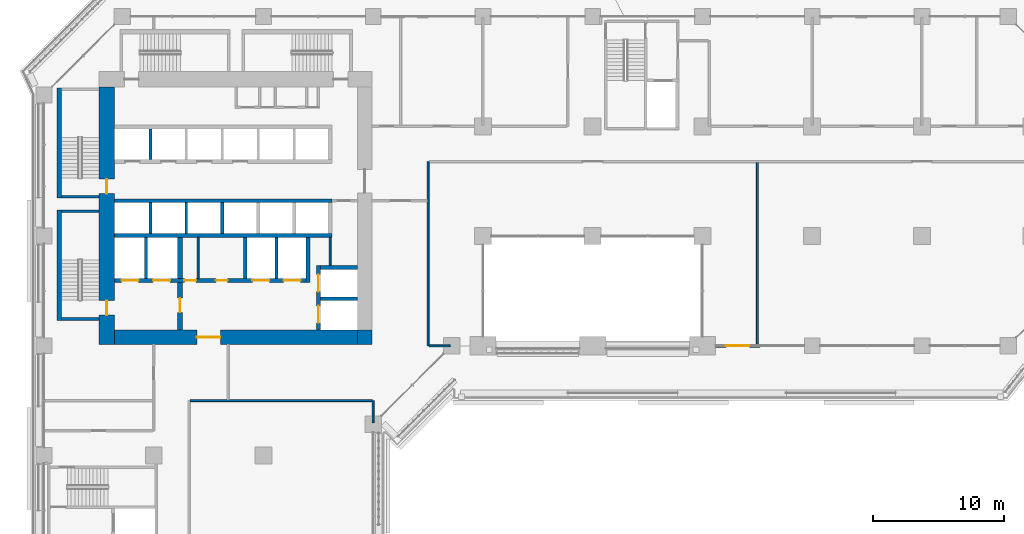
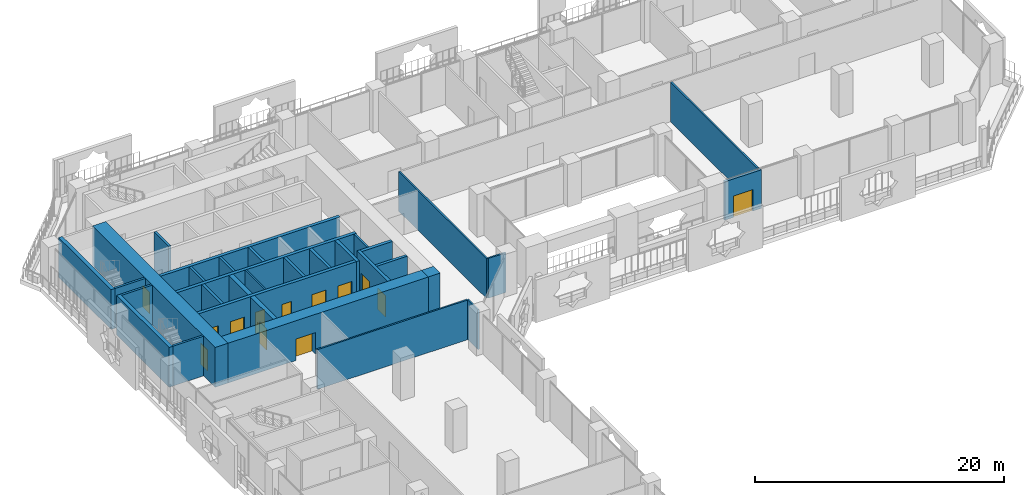
# One storey, part 14 of 27: 32 walls, 13 doors, 13 openings.
"""IFC4 building model written with IfcOpenShell, lengths in metres."""

from ifc_helpers import new_model, si_unit, direction, frame, frame_2d, origin, place, context, subcontext, project, spatial, rectangle, extrude, material, layer, layer_set, type_object, element, fill, save


model = new_model("IFC4")

# Units and contexts
model_context = context("Model", 3, precision=1e-05, world=origin(), true_north=direction((0.0, 1.0)))
body_context = subcontext(model_context, "Body", "Model", "MODEL_VIEW")
ifc_project = project(units=[si_unit("LENGTHUNIT", "METRE"), si_unit("AREAUNIT", "SQUARE_METRE"), si_unit("VOLUMEUNIT", "CUBIC_METRE"), si_unit("PLANEANGLEUNIT", "RADIAN"), si_unit("MASSUNIT", "GRAM", prefix="KILO")], contexts=[model_context])

# Site, building, storey
site_placement = place(None, origin())
site = spatial("IfcSite", under=ifc_project, at=site_placement, CompositionType="ELEMENT")
building_placement = place(site_placement, origin())
building = spatial("IfcBuilding", under=site, at=building_placement, Name="Kawkab Arch Medical Tower", CompositionType="ELEMENT")
storey_placement = place(building_placement, frame((0.0, 0.0, 43.39990234375)))
storey = spatial("IfcBuildingStorey", under=building, at=storey_placement, Name="L09", CompositionType="ELEMENT", Elevation=43.39990234375)

# Wall, opening, door
ifc_material_1 = material(Name="Concrete C60/75", Category="concrete")
ifc_layer_1 = layer(ifc_material_1, 1.10009765625)
ifc_layer_set_1 = layer_set([ifc_layer_1], Name="Concrete C60/75")
wall_type_1 = type_object("IfcWallType", Name="Core ring wall 1100 C60/75", PredefinedType="SHEAR", material=ifc_layer_set_1)
wall_1_placement = place(storey_placement, frame((5.39990234375, -24.550048828125, 0.0), z_axis=(0.0, 0.0, 1.0), x_axis=(1.0, 0.0, 0.0)))
wall_1 = element("IfcWall", 1, at=wall_1_placement, inside=storey, type_object=wall_type_1, Name="L09 core wall", PredefinedType="SHEAR", context=body_context, shape_type="SweptSolid", body=[
    extrude(rectangle(XDim=18.60009765625, YDim=1.10009765625, at=frame_2d((9.300048828125, 0.0))), origin(), (0.0, 0.0, 1.0), 3.900146484375),
])
opening_1_placement = place(wall_1_placement, frame((6.300048828125, 0.0, 0.0)))
opening_1 = element("IfcOpeningElement", 2, at=opening_1_placement, cuts=wall_1, Name="Opening PD", PredefinedType="OPENING", context=body_context, shape_type="SweptSolid", body=[
    extrude(rectangle(XDim=1.800048828125, YDim=2.10009765625, at=frame_2d((0.89990234375, 1.050048828125))), frame((0.0, 0.56005859375, 0.0), z_axis=(0.0, -1.0, 0.0), x_axis=(1.0, 0.0, 0.0)), (0.0, 0.0, 1.0), 1.1201171875),
])
ifc_material_2 = material(Name="Hollow metal fire door leaf")
door_type_1 = type_object("IfcDoorType", Name="Core entrance doors 1800", OperationType="DOUBLE_DOOR_SINGLE_SWING", PredefinedType="DOOR", material=ifc_material_2)
door_1_placement = place(opening_1_placement, origin())
door_1 = element("IfcDoor", 3, at=door_1_placement, inside=storey, type_object=door_type_1, Name="L09 South entrance doors", OperationType="DOUBLE_DOOR_SINGLE_SWING", OverallHeight=2.10009765625, OverallWidth=1.800048828125, PredefinedType="DOOR", context=body_context, shape_type="SweptSolid", body=[
    extrude(rectangle(XDim=1.800048828125, YDim=2.10009765625, at=frame_2d((0.89990234375, 1.050048828125))), frame((0.0, 0.02490234375, 0.0), z_axis=(0.0, -1.0, 0.0), x_axis=(1.0, 0.0, 0.0)), (0.0, 0.0, 1.0), 0.050048828125),
])
fill(opening_1, door_1)

# Wall
wall_2_placement = place(storey_placement, frame((24.550048828125, -25.10009765625, 0.0), z_axis=(0.0, 0.0, 1.0), x_axis=(0.0, 1.0, 0.0)))
element("IfcWall", 4, at=wall_2_placement, inside=storey, type_object=wall_type_1, Name="L09 core wall", PredefinedType="SHEAR", context=body_context, shape_type="SweptSolid", body=[
    extrude(rectangle(XDim=1.10009765625, YDim=1.10009765625, at=frame_2d((0.550048828125, 0.0))), origin(), (0.0, 0.0, 1.0), 3.900146484375),
])

# Wall, openings, doors
ifc_material_3 = material(Name="Concrete C60/75", Category="concrete")
ifc_layer_2 = layer(ifc_material_3, 1.199951171875)
ifc_layer_set_2 = layer_set([ifc_layer_2], Name="Concrete C60/75")
wall_type_2 = type_object("IfcWallType", Name="Core ring wall 1200 C60/75", PredefinedType="SHEAR", material=ifc_layer_set_2)
wall_3_placement = place(storey_placement, frame((4.800048828125, -25.10009765625, 0.0), z_axis=(0.0, 0.0, 1.0), x_axis=(0.0, 1.0, 0.0)))
wall_3 = element("IfcWall", 5, at=wall_3_placement, inside=storey, type_object=wall_type_2, Name="L09 core wall", PredefinedType="SHEAR", context=body_context, shape_type="SweptSolid", body=[
    extrude(rectangle(XDim=19.7001953125, YDim=1.199951171875, at=frame_2d((9.85009765625, 0.0))), origin(), (0.0, 0.0, 1.0), 3.900146484375),
])
opening_2_placement = place(wall_3_placement, frame((11.550048828125, 0.0, 0.0)))
opening_2 = element("IfcOpeningElement", 6, at=opening_2_placement, cuts=wall_3, Name="Opening SD", PredefinedType="OPENING", context=body_context, shape_type="SweptSolid", body=[
    extrude(rectangle(XDim=1.10009765625, YDim=2.10009765625, at=frame_2d((0.550048828125, 1.050048828125))), frame((0.0, 0.60986328125, 0.0), z_axis=(0.0, -1.0, 0.0), x_axis=(1.0, 0.0, 0.0)), (0.0, 0.0, 1.0), 1.219970703125),
])
opening_3_placement = place(wall_3_placement, frame((2.25, 0.0, 0.0)))
opening_3 = element("IfcOpeningElement", 7, at=opening_3_placement, cuts=wall_3, Name="Opening SD", PredefinedType="OPENING", context=body_context, shape_type="SweptSolid", body=[
    extrude(rectangle(XDim=1.10009765625, YDim=2.10009765625, at=frame_2d((0.550048828125, 1.050048828125))), frame((0.0, 0.60986328125, 0.0), z_axis=(0.0, -1.0, 0.0), x_axis=(1.0, 0.0, 0.0)), (0.0, 0.0, 1.0), 1.219970703125),
])
ifc_material_4 = material(Name="Hollow metal fire door leaf")
door_type_2 = type_object("IfcDoorType", Name="Exit stair door 1100", OperationType="SINGLE_SWING_LEFT", PredefinedType="DOOR", material=ifc_material_4)
door_2_placement = place(opening_2_placement, origin())
door_2 = element("IfcDoor", 8, at=door_2_placement, inside=storey, type_object=door_type_2, Name="L09 Exit stair ST1 door", OperationType="SINGLE_SWING_LEFT", OverallHeight=2.10009765625, OverallWidth=1.10009765625, PredefinedType="DOOR", context=body_context, shape_type="SweptSolid", body=[
    extrude(rectangle(XDim=1.10009765625, YDim=2.10009765625, at=frame_2d((0.550048828125, 1.050048828125))), frame((0.0, 0.02490234375, 0.0), z_axis=(0.0, -1.0, 0.0), x_axis=(1.0, 0.0, 0.0)), (0.0, 0.0, 1.0), 0.050048828125),
])
fill(opening_2, door_2)
door_3_placement = place(opening_3_placement, origin())
door_3 = element("IfcDoor", 9, at=door_3_placement, inside=storey, type_object=door_type_2, Name="L09 Exit stair ST2 door", OperationType="SINGLE_SWING_LEFT", OverallHeight=2.10009765625, OverallWidth=1.10009765625, PredefinedType="DOOR", context=body_context, shape_type="SweptSolid", body=[
    extrude(rectangle(XDim=1.10009765625, YDim=2.10009765625, at=frame_2d((0.550048828125, 1.050048828125))), frame((0.0, 0.02490234375, 0.0), z_axis=(0.0, -1.0, 0.0), x_axis=(1.0, 0.0, 0.0)), (0.0, 0.0, 1.0), 0.050048828125),
])
fill(opening_3, door_3)

# Walls
ifc_material_5 = material(Name="Gypsum board on steel studs", Category="steel")
ifc_layer_3 = layer(ifc_material_5, 0.14990234375)
ifc_layer_set_3 = layer_set([ifc_layer_3], Name="Gypsum board on steel studs")
wall_type_3 = type_object("IfcWallType", Name="Core room partition 150", PredefinedType="PARTITIONING", material=ifc_layer_set_3)
wall_4_placement = place(storey_placement, frame((21.89990234375, -19.050048828125, 0.0), z_axis=(0.0, 0.0, 1.0), x_axis=(0.0, 1.0, 0.0)))
element("IfcWall", 10, at=wall_4_placement, inside=storey, type_object=wall_type_3, Name="L09 core room partition", PredefinedType="PARTITIONING", context=body_context, shape_type="SweptSolid", body=[
    extrude(rectangle(XDim=2.150146484375, YDim=0.14990234375, at=frame_2d((1.0751953125, 0.0))), origin(), (0.0, 0.0, 1.0), 3.900146484375),
])
wall_5_placement = place(storey_placement, frame((11.800048828125, -20.050048828125, 0.0), z_axis=(0.0, 0.0, 1.0), x_axis=(0.0, 1.0, 0.0)))
element("IfcWall", 11, at=wall_5_placement, inside=storey, type_object=wall_type_3, Name="L09 core room partition", PredefinedType="PARTITIONING", context=body_context, shape_type="SweptSolid", body=[
    extrude(rectangle(XDim=3.150146484375, YDim=0.14990234375, at=frame_2d((1.5751953125, 0.0))), origin(), (0.0, 0.0, 1.0), 3.900146484375),
])
ifc_material_6 = material(Name="Concrete C60/75", Category="concrete")
ifc_layer_4 = layer(ifc_material_6, 0.25)
ifc_layer_set_4 = layer_set([ifc_layer_4], Name="Concrete C60/75")
wall_type_4 = type_object("IfcWallType", Name="Core shear wall 250 C60/75", PredefinedType="SHEAR", material=ifc_layer_set_4)
wall_6_placement = place(storey_placement, frame((21.14990234375, -21.60009765625, 0.0), z_axis=(0.0, 0.0, 1.0), x_axis=(1.0, 0.0, 0.0)))
element("IfcWall", 12, at=wall_6_placement, inside=storey, type_object=wall_type_4, Name="L09 core shear wall", PredefinedType="SHEAR", context=body_context, shape_type="SweptSolid", body=[
    extrude(rectangle(XDim=2.85009765625, YDim=0.25, at=frame_2d((1.425048828125, 0.0))), origin(), (0.0, 0.0, 1.0), 3.900146484375),
])
for number, where, z_axis, x_axis, name in (
    (13, (7.800048828125, -20.050048828125, 0.0), (0.0, 0.0, 1.0), (0.0, 1.0, 0.0), "L09 core shear wall"),
    (14, (15.39990234375, -20.050048828125, 0.0), (0.0, 0.0, 1.0), (0.0, 1.0, 0.0), "L09 core shear wall"),
    (15, (17.800048828125, -20.050048828125, 0.0), (0.0, 0.0, 1.0), (0.0, 1.0, 0.0), "L09 core shear wall"),
):
    element("IfcWall", number, at=place(storey_placement, frame(where, z_axis=z_axis, x_axis=x_axis)), inside=storey, type_object=wall_type_4, Name=name, PredefinedType="SHEAR", context=body_context, shape_type="SweptSolid", body=[
        extrude(rectangle(XDim=3.150146484375, YDim=0.25, at=frame_2d((1.5751953125, 0.0))), origin(), (0.0, 0.0, 1.0), 3.900146484375),
    ])
wall_7_placement = place(storey_placement, frame((13.64990234375, -16.60009765625, 0.0), z_axis=(0.0, 0.0, 1.0), x_axis=(0.0, 1.0, 0.0)))
element("IfcWall", 16, at=wall_7_placement, inside=storey, type_object=wall_type_4, Name="L09 core shear wall", PredefinedType="SHEAR", context=body_context, shape_type="SweptSolid", body=[
    extrude(rectangle(XDim=2.35009765625, YDim=0.25, at=frame_2d((1.175048828125, 0.0))), origin(), (0.0, 0.0, 1.0), 3.900146484375),
])
ifc_material_7 = material(Name="Concrete C60/75", Category="concrete")
ifc_layer_5 = layer(ifc_material_7, 0.300048828125)
ifc_layer_set_5 = layer_set([ifc_layer_5], Name="Concrete C60/75")
wall_type_5 = type_object("IfcWallType", Name="Core shear wall 300 C60/75", PredefinedType="SHEAR", material=ifc_layer_set_5)
for number, where, z_axis, x_axis, name in (
    (17, (5.39990234375, -14.10009765625, 0.0), (0.0, 0.0, 1.0), (1.0, 0.0, 0.0), "L09 core shear wall"),
    (18, (5.39990234375, -16.75, 0.0), (0.0, 0.0, 1.0), (1.0, 0.0, 0.0), "L09 core shear wall"),
):
    element("IfcWall", number, at=place(storey_placement, frame(where, z_axis=z_axis, x_axis=x_axis)), inside=storey, type_object=wall_type_5, Name=name, PredefinedType="SHEAR", context=body_context, shape_type="SweptSolid", body=[
        extrude(rectangle(XDim=16.650146484375, YDim=0.300048828125, at=frame_2d((8.3251953125, 0.0))), origin(), (0.0, 0.0, 1.0), 3.900146484375),
    ])

# Wall, openings, doors
wall_8_placement = place(storey_placement, frame((5.39990234375, -20.199951171875, 0.0), z_axis=(0.0, 0.0, 1.0), x_axis=(1.0, 0.0, 0.0)))
wall_8 = element("IfcWall", 19, at=wall_8_placement, inside=storey, type_object=wall_type_5, Name="L09 core shear wall", PredefinedType="SHEAR", context=body_context, shape_type="SweptSolid", body=[
    extrude(rectangle(XDim=14.650146484375, YDim=0.300048828125, at=frame_2d((7.3251953125, 0.0))), origin(), (0.0, 0.0, 1.0), 3.900146484375),
])
opening_4_placement = place(wall_8_placement, frame((10.550048828125, 0.0, 0.0)))
opening_4 = element("IfcOpeningElement", 20, at=opening_4_placement, cuts=wall_8, Name="Opening LD2", PredefinedType="OPENING", context=body_context, shape_type="SweptSolid", body=[
    extrude(rectangle(XDim=1.300048828125, YDim=2.10009765625, at=frame_2d((0.64990234375, 1.050048828125))), frame((0.0, 0.159912109375, 0.0), z_axis=(0.0, -1.0, 0.0), x_axis=(1.0, 0.0, 0.0)), (0.0, 0.0, 1.0), 0.320068359375),
])
opening_5_placement = place(wall_8_placement, frame((12.949951171875, 0.0, 0.0)))
opening_5 = element("IfcOpeningElement", 21, at=opening_5_placement, cuts=wall_8, Name="Opening LD2", PredefinedType="OPENING", context=body_context, shape_type="SweptSolid", body=[
    extrude(rectangle(XDim=1.300048828125, YDim=2.10009765625, at=frame_2d((0.64990234375, 1.050048828125))), frame((0.0, 0.159912109375, 0.0), z_axis=(0.0, -1.0, 0.0), x_axis=(1.0, 0.0, 0.0)), (0.0, 0.0, 1.0), 0.320068359375),
])
opening_6_placement = place(wall_8_placement, frame((0.550048828125, 0.0, 0.0)))
opening_6 = element("IfcOpeningElement", 22, at=opening_6_placement, cuts=wall_8, Name="Opening LD2", PredefinedType="OPENING", context=body_context, shape_type="SweptSolid", body=[
    extrude(rectangle(XDim=1.300048828125, YDim=2.10009765625, at=frame_2d((0.64990234375, 1.050048828125))), frame((0.0, 0.159912109375, 0.0), z_axis=(0.0, -1.0, 0.0), x_axis=(1.0, 0.0, 0.0)), (0.0, 0.0, 1.0), 0.320068359375),
])
opening_7_placement = place(wall_8_placement, frame((2.949951171875, 0.0, 0.0)))
opening_7 = element("IfcOpeningElement", 23, at=opening_7_placement, cuts=wall_8, Name="Opening LD2", PredefinedType="OPENING", context=body_context, shape_type="SweptSolid", body=[
    extrude(rectangle(XDim=1.300048828125, YDim=2.10009765625, at=frame_2d((0.64990234375, 1.050048828125))), frame((0.0, 0.159912109375, 0.0), z_axis=(0.0, -1.0, 0.0), x_axis=(1.0, 0.0, 0.0)), (0.0, 0.0, 1.0), 0.320068359375),
])
opening_8_placement = place(wall_8_placement, frame((5.35009765625, 0.0, 0.0)))
opening_8 = element("IfcOpeningElement", 24, at=opening_8_placement, cuts=wall_8, Name="Opening RD", PredefinedType="OPENING", context=body_context, shape_type="SweptSolid", body=[
    extrude(rectangle(XDim=0.89990234375, YDim=2.10009765625, at=frame_2d((0.449951171875, 1.050048828125))), frame((0.0, 0.159912109375, 0.0), z_axis=(0.0, -1.0, 0.0), x_axis=(1.0, 0.0, 0.0)), (0.0, 0.0, 1.0), 0.320068359375),
])
opening_9_placement = place(wall_8_placement, frame((7.75, 0.0, 0.0)))
opening_9 = element("IfcOpeningElement", 25, at=opening_9_placement, cuts=wall_8, Name="Opening RD", PredefinedType="OPENING", context=body_context, shape_type="SweptSolid", body=[
    extrude(rectangle(XDim=0.89990234375, YDim=2.10009765625, at=frame_2d((0.449951171875, 1.050048828125))), frame((0.0, 0.159912109375, 0.0), z_axis=(0.0, -1.0, 0.0), x_axis=(1.0, 0.0, 0.0)), (0.0, 0.0, 1.0), 0.320068359375),
])
ifc_material_8 = material(Name="Hollow metal fire door leaf")
door_type_3 = type_object("IfcDoorType", Name="Core room door 900", OperationType="SINGLE_SWING_LEFT", PredefinedType="DOOR", material=ifc_material_8)
door_4_placement = place(opening_8_placement, origin())
door_4 = element("IfcDoor", 26, at=door_4_placement, inside=storey, type_object=door_type_3, Name="L09 Linen store door", OperationType="SINGLE_SWING_LEFT", OverallHeight=2.10009765625, OverallWidth=0.89990234375, PredefinedType="DOOR", context=body_context, shape_type="SweptSolid", body=[
    extrude(rectangle(XDim=0.89990234375, YDim=2.10009765625, at=frame_2d((0.449951171875, 1.050048828125))), frame((0.0, 0.02490234375, 0.0), z_axis=(0.0, -1.0, 0.0), x_axis=(1.0, 0.0, 0.0)), (0.0, 0.0, 1.0), 0.050048828125),
])
fill(opening_8, door_4)
door_5_placement = place(opening_9_placement, origin())
door_5 = element("IfcDoor", 27, at=door_5_placement, inside=storey, type_object=door_type_3, Name="L09 Dirty utility room door", OperationType="SINGLE_SWING_LEFT", OverallHeight=2.10009765625, OverallWidth=0.89990234375, PredefinedType="DOOR", context=body_context, shape_type="SweptSolid", body=[
    extrude(rectangle(XDim=0.89990234375, YDim=2.10009765625, at=frame_2d((0.449951171875, 1.050048828125))), frame((0.0, 0.02490234375, 0.0), z_axis=(0.0, -1.0, 0.0), x_axis=(1.0, 0.0, 0.0)), (0.0, 0.0, 1.0), 0.050048828125),
])
fill(opening_9, door_5)
ifc_material_9 = material(Name="Stainless steel lift door leaf", Category="steel")
door_type_4 = type_object("IfcDoorType", Name="Lift landing door 1300", OperationType="DOUBLE_DOOR_SLIDING", PredefinedType="DOOR", material=ifc_material_9)
door_6_placement = place(opening_4_placement, origin())
door_6 = element("IfcDoor", 28, at=door_6_placement, inside=storey, type_object=door_type_4, Name="L09 Lift landing door BD3", OperationType="DOUBLE_DOOR_SLIDING", OverallHeight=2.10009765625, OverallWidth=1.300048828125, PredefinedType="DOOR", context=body_context, shape_type="SweptSolid", body=[
    extrude(rectangle(XDim=1.300048828125, YDim=2.10009765625, at=frame_2d((0.64990234375, 1.050048828125))), frame((0.0, 0.02490234375, 0.0), z_axis=(0.0, -1.0, 0.0), x_axis=(1.0, 0.0, 0.0)), (0.0, 0.0, 1.0), 0.050048828125),
])
fill(opening_4, door_6)
door_7_placement = place(opening_5_placement, origin())
door_7 = element("IfcDoor", 29, at=door_7_placement, inside=storey, type_object=door_type_4, Name="L09 Lift landing door BD4", OperationType="DOUBLE_DOOR_SLIDING", OverallHeight=2.10009765625, OverallWidth=1.300048828125, PredefinedType="DOOR", context=body_context, shape_type="SweptSolid", body=[
    extrude(rectangle(XDim=1.300048828125, YDim=2.10009765625, at=frame_2d((0.64990234375, 1.050048828125))), frame((0.0, 0.02490234375, 0.0), z_axis=(0.0, -1.0, 0.0), x_axis=(1.0, 0.0, 0.0)), (0.0, 0.0, 1.0), 0.050048828125),
])
fill(opening_5, door_7)
door_8_placement = place(opening_6_placement, origin())
door_8 = element("IfcDoor", 30, at=door_8_placement, inside=storey, type_object=door_type_4, Name="L09 Lift landing door FL1", OperationType="DOUBLE_DOOR_SLIDING", OverallHeight=2.10009765625, OverallWidth=1.300048828125, PredefinedType="DOOR", context=body_context, shape_type="SweptSolid", body=[
    extrude(rectangle(XDim=1.300048828125, YDim=2.10009765625, at=frame_2d((0.64990234375, 1.050048828125))), frame((0.0, 0.02490234375, 0.0), z_axis=(0.0, -1.0, 0.0), x_axis=(1.0, 0.0, 0.0)), (0.0, 0.0, 1.0), 0.050048828125),
])
fill(opening_6, door_8)
door_9_placement = place(opening_7_placement, origin())
door_9 = element("IfcDoor", 31, at=door_9_placement, inside=storey, type_object=door_type_4, Name="L09 Lift landing door FL2", OperationType="DOUBLE_DOOR_SLIDING", OverallHeight=2.10009765625, OverallWidth=1.300048828125, PredefinedType="DOOR", context=body_context, shape_type="SweptSolid", body=[
    extrude(rectangle(XDim=1.300048828125, YDim=2.10009765625, at=frame_2d((0.64990234375, 1.050048828125))), frame((0.0, 0.02490234375, 0.0), z_axis=(0.0, -1.0, 0.0), x_axis=(1.0, 0.0, 0.0)), (0.0, 0.0, 1.0), 0.050048828125),
])
fill(opening_7, door_9)

# Walls
wall_9_placement = place(storey_placement, frame((20.199951171875, -20.35009765625, 0.0), z_axis=(0.0, 0.0, 1.0), x_axis=(0.0, 1.0, 0.0)))
element("IfcWall", 32, at=wall_9_placement, inside=storey, type_object=wall_type_5, Name="L09 core shear wall", PredefinedType="SHEAR", context=body_context, shape_type="SweptSolid", body=[
    extrude(rectangle(XDim=3.4501953125, YDim=0.300048828125, at=frame_2d((1.72509765625, 0.0))), origin(), (0.0, 0.0, 1.0), 3.900146484375),
])
wall_10_placement = place(storey_placement, frame((21.14990234375, -19.199951171875, 0.0), z_axis=(0.0, 0.0, 1.0), x_axis=(1.0, 0.0, 0.0)))
element("IfcWall", 33, at=wall_10_placement, inside=storey, type_object=wall_type_5, Name="L09 core shear wall", PredefinedType="SHEAR", context=body_context, shape_type="SweptSolid", body=[
    extrude(rectangle(XDim=2.85009765625, YDim=0.300048828125, at=frame_2d((1.425048828125, 0.0))), origin(), (0.0, 0.0, 1.0), 3.900146484375),
])

# Wall, openings, doors
wall_11_placement = place(storey_placement, frame((21.0, -24.0, 0.0), z_axis=(0.0, 0.0, 1.0), x_axis=(0.0, 1.0, 0.0)))
wall_11 = element("IfcWall", 34, at=wall_11_placement, inside=storey, type_object=wall_type_5, Name="L09 core shear wall", PredefinedType="SHEAR", context=body_context, shape_type="SweptSolid", body=[
    extrude(rectangle(XDim=4.949951171875, YDim=0.300048828125, at=frame_2d((2.47509765625, 0.0))), origin(), (0.0, 0.0, 1.0), 3.900146484375),
])
opening_10_placement = place(wall_11_placement, frame((2.949951171875, 0.0, 0.0)))
opening_10 = element("IfcOpeningElement", 35, at=opening_10_placement, cuts=wall_11, Name="Opening LD2", PredefinedType="OPENING", context=body_context, shape_type="SweptSolid", body=[
    extrude(rectangle(XDim=1.300048828125, YDim=2.10009765625, at=frame_2d((0.64990234375, 1.050048828125))), frame((0.0, 0.159912109375, 0.0), z_axis=(0.0, -1.0, 0.0), x_axis=(1.0, 0.0, 0.0)), (0.0, 0.0, 1.0), 0.320068359375),
])
opening_11_placement = place(wall_11_placement, frame((0.550048828125, 0.0, 0.0)))
opening_11 = element("IfcOpeningElement", 36, at=opening_11_placement, cuts=wall_11, Name="Opening LD2", PredefinedType="OPENING", context=body_context, shape_type="SweptSolid", body=[
    extrude(rectangle(XDim=1.300048828125, YDim=2.10009765625, at=frame_2d((0.64990234375, 1.050048828125))), frame((0.0, 0.159912109375, 0.0), z_axis=(0.0, -1.0, 0.0), x_axis=(1.0, 0.0, 0.0)), (0.0, 0.0, 1.0), 0.320068359375),
])
door_10_placement = place(opening_10_placement, origin())
door_10 = element("IfcDoor", 37, at=door_10_placement, inside=storey, type_object=door_type_4, Name="L09 Lift landing door BD1", OperationType="DOUBLE_DOOR_SLIDING", OverallHeight=2.10009765625, OverallWidth=1.300048828125, PredefinedType="DOOR", context=body_context, shape_type="SweptSolid", body=[
    extrude(rectangle(XDim=1.300048828125, YDim=2.10009765625, at=frame_2d((0.64990234375, 1.050048828125))), frame((0.0, 0.02490234375, 0.0), z_axis=(0.0, -1.0, 0.0), x_axis=(1.0, 0.0, 0.0)), (0.0, 0.0, 1.0), 0.050048828125),
])
fill(opening_10, door_10)
door_11_placement = place(opening_11_placement, origin())
door_11 = element("IfcDoor", 38, at=door_11_placement, inside=storey, type_object=door_type_4, Name="L09 Lift landing door BD2", OperationType="DOUBLE_DOOR_SLIDING", OverallHeight=2.10009765625, OverallWidth=1.300048828125, PredefinedType="DOOR", context=body_context, shape_type="SweptSolid", body=[
    extrude(rectangle(XDim=1.300048828125, YDim=2.10009765625, at=frame_2d((0.64990234375, 1.050048828125))), frame((0.0, 0.02490234375, 0.0), z_axis=(0.0, -1.0, 0.0), x_axis=(1.0, 0.0, 0.0)), (0.0, 0.0, 1.0), 0.050048828125),
])
fill(opening_11, door_11)

# Wall, opening, door
ifc_material_10 = material(Name="Concrete C60/75", Category="concrete")
ifc_layer_6 = layer(ifc_material_10, 0.39990234375)
ifc_layer_set_6 = layer_set([ifc_layer_6], Name="Concrete C60/75")
wall_type_6 = type_object("IfcWallType", Name="Core shear wall 400 C60/75", PredefinedType="SHEAR", material=ifc_layer_set_6)
wall_12_placement = place(storey_placement, frame((10.39990234375, -24.0, 0.0), z_axis=(0.0, 0.0, 1.0), x_axis=(0.0, 1.0, 0.0)))
wall_12 = element("IfcWall", 39, at=wall_12_placement, inside=storey, type_object=wall_type_6, Name="L09 core shear wall", PredefinedType="SHEAR", context=body_context, shape_type="SweptSolid", body=[
    extrude(rectangle(XDim=3.64990234375, YDim=0.39990234375, at=frame_2d((1.824951171875, 0.0))), origin(), (0.0, 0.0, 1.0), 3.900146484375),
])
opening_12_placement = place(wall_12_placement, frame((1.35009765625, 0.0, 0.0)))
opening_12 = element("IfcOpeningElement", 40, at=opening_12_placement, cuts=wall_12, Name="Opening FD", PredefinedType="OPENING", context=body_context, shape_type="SweptSolid", body=[
    extrude(rectangle(XDim=1.10009765625, YDim=2.10009765625, at=frame_2d((0.550048828125, 1.050048828125))), frame((0.0, 0.2099609375, 0.0), z_axis=(0.0, -1.0, 0.0), x_axis=(1.0, 0.0, 0.0)), (0.0, 0.0, 1.0), 0.419921875),
])
ifc_material_11 = material(Name="Hollow metal fire door leaf")
door_type_5 = type_object("IfcDoorType", Name="Firefighting lobby door 1100", OperationType="SINGLE_SWING_LEFT", PredefinedType="DOOR", material=ifc_material_11)
door_12_placement = place(opening_12_placement, origin())
door_12 = element("IfcDoor", 41, at=door_12_placement, inside=storey, type_object=door_type_5, Name="L09 Firefighting lobby door", OperationType="SINGLE_SWING_LEFT", OverallHeight=2.10009765625, OverallWidth=1.10009765625, PredefinedType="DOOR", context=body_context, shape_type="SweptSolid", body=[
    extrude(rectangle(XDim=1.10009765625, YDim=2.10009765625, at=frame_2d((0.550048828125, 1.050048828125))), frame((0.0, 0.02490234375, 0.0), z_axis=(0.0, -1.0, 0.0), x_axis=(1.0, 0.0, 0.0)), (0.0, 0.0, 1.0), 0.050048828125),
])
fill(opening_12, door_12)

# Wall
wall_13_placement = place(storey_placement, frame((10.39990234375, -20.050048828125, 0.0), z_axis=(0.0, 0.0, 1.0), x_axis=(0.0, 1.0, 0.0)))
element("IfcWall", 42, at=wall_13_placement, inside=storey, type_object=wall_type_6, Name="L09 core shear wall", PredefinedType="SHEAR", context=body_context, shape_type="SweptSolid", body=[
    extrude(rectangle(XDim=3.150146484375, YDim=0.39990234375, at=frame_2d((1.5751953125, 0.0))), origin(), (0.0, 0.0, 1.0), 3.900146484375),
])

# Wall, opening, door
ifc_material_12 = material(Name="Bronze clad insulated wall panel")
ifc_layer_7 = layer(ifc_material_12, 0.25)
ifc_layer_set_7 = layer_set([ifc_layer_7], Name="Bronze clad insulated wall panel")
wall_type_7 = type_object("IfcWallType", Name="External wall bay 250", PredefinedType="SOLIDWALL", material=ifc_layer_set_7)
wall_14_placement = place(storey_placement, frame((51.39990234375, -25.199951171875, 0.0), z_axis=(0.0, 0.0, 1.0), x_axis=(1.0, 0.0, 0.0)))
wall_14 = element("IfcWall", 43, at=wall_14_placement, inside=storey, type_object=wall_type_7, Name="External wall bay L09.R05.1.1", PredefinedType="SOLIDWALL", context=body_context, shape_type="SweptSolid", body=[
    extrude(rectangle(XDim=3.400146484375, YDim=0.25, at=frame_2d((1.7001953125, 0.0))), origin(), (0.0, 0.0, 1.0), 3.780029296875),
])
opening_13_placement = place(wall_14_placement, frame((0.800048828125, 0.0, 0.0)))
opening_13 = element("IfcOpeningElement", 44, at=opening_13_placement, cuts=wall_14, Name="Opening B09-701", PredefinedType="OPENING", context=body_context, shape_type="SweptSolid", body=[
    extrude(rectangle(XDim=1.800048828125, YDim=2.10009765625, at=frame_2d((0.89990234375, 1.050048828125))), frame((0.0, 0.135009765625, 0.0), z_axis=(0.0, -1.0, 0.0), x_axis=(1.0, 0.0, 0.0)), (0.0, 0.0, 1.0), 0.27001953125),
])
ifc_material_13 = material(Name="Bronze anodised aluminium door with tinted glass", Category="aluminium")
door_type_6 = type_object("IfcDoorType", Name="Double external door 1800 x 2100", OperationType="DOUBLE_DOOR_SINGLE_SWING", PredefinedType="DOOR", material=ifc_material_13)
door_13_placement = place(opening_13_placement, origin())
door_13 = element("IfcDoor", 45, at=door_13_placement, inside=storey, type_object=door_type_6, Name="External door L09.R05.1.1", OperationType="DOUBLE_DOOR_SINGLE_SWING", OverallHeight=2.10009765625, OverallWidth=1.800048828125, PredefinedType="DOOR", context=body_context, shape_type="SweptSolid", body=[
    extrude(rectangle(XDim=1.800048828125, YDim=2.10009765625, at=frame_2d((0.89990234375, 1.050048828125))), frame((0.0, 0.02490234375, 0.0), z_axis=(0.0, -1.0, 0.0), x_axis=(1.0, 0.0, 0.0)), (0.0, 0.0, 1.0), 0.050048828125),
])
fill(opening_13, door_13)

# Walls
ifc_material_14 = material(Name="Dense concrete blockwork", Category="masonry")
ifc_layer_8 = layer(ifc_material_14, 0.199951171875)
ifc_layer_set_8 = layer_set([ifc_layer_8], Name="Dense concrete blockwork")
wall_type_8 = type_object("IfcWallType", Name="Lift shaft partition 200", PredefinedType="PARTITIONING", material=ifc_layer_set_8)
wall_15_placement = place(storey_placement, frame((8.14990234375, -10.949951171875, 0.0), z_axis=(0.0, 0.0, 1.0), x_axis=(0.0, 1.0, 0.0)))
element("IfcWall", 46, at=wall_15_placement, inside=storey, type_object=wall_type_8, Name="L09 lift shaft partition", PredefinedType="PARTITIONING", context=body_context, shape_type="SweptSolid", body=[
    extrude(rectangle(XDim=2.349853515625, YDim=0.199951171875, at=frame_2d((1.1748046875, 0.0))), origin(), (0.0, 0.0, 1.0), 3.900146484375),
])
for number, where, z_axis, x_axis, name in (
    (47, (8.14990234375, -16.60009765625, 0.0), (0.0, 0.0, 1.0), (0.0, 1.0, 0.0), "L09 lift shaft partition"),
    (48, (10.89990234375, -16.60009765625, 0.0), (0.0, 0.0, 1.0), (0.0, 1.0, 0.0), "L09 lift shaft partition"),
):
    element("IfcWall", number, at=place(storey_placement, frame(where, z_axis=z_axis, x_axis=x_axis)), inside=storey, type_object=wall_type_8, Name=name, PredefinedType="PARTITIONING", context=body_context, shape_type="SweptSolid", body=[
        extrude(rectangle(XDim=2.35009765625, YDim=0.199951171875, at=frame_2d((1.175048828125, 0.0))), origin(), (0.0, 0.0, 1.0), 3.900146484375),
    ])
ifc_material_15 = material(Name="Gypsum board partition on steel studs, mineral wool", Category="steel")
ifc_layer_9 = layer(ifc_material_15, 0.14990234375)
ifc_layer_set_9 = layer_set([ifc_layer_9], Name="Gypsum board partition on steel studs, mineral wool")
wall_type_9 = type_object("IfcWallType", Name="Partition 150", PredefinedType="PARTITIONING", material=ifc_layer_set_9)
wall_16_placement = place(storey_placement, frame((11.175048828125, -29.39990234375, 0.0), z_axis=(0.0, 0.0, 1.0), x_axis=(1.0, 0.0, 0.0)))
element("IfcWall", 49, at=wall_16_placement, inside=storey, type_object=wall_type_9, Name="Partition 150 w013", PredefinedType="PARTITIONING", context=body_context, shape_type="SweptSolid", body=[
    extrude(rectangle(XDim=13.949951171875, YDim=0.14990234375, at=frame_2d((6.97509765625, 0.0))), origin(), (0.0, 0.0, 1.0), 3.900146484375),
])
wall_17_placement = place(storey_placement, frame((29.47509765625, -25.199951171875, 0.0), z_axis=(0.0, 0.0, 1.0), x_axis=(1.0, 0.0, 0.0)))
element("IfcWall", 50, at=wall_17_placement, inside=storey, type_object=wall_type_9, Name="Partition 150 w014", PredefinedType="PARTITIONING", context=body_context, shape_type="SweptSolid", body=[
    extrude(rectangle(XDim=1.61181640625, YDim=0.14990234375, at=frame_2d((0.805908203125, 0.0))), origin(), (0.0, 0.0, 1.0), 3.900146484375),
])
wall_18_placement = place(storey_placement, frame((25.199951171875, -31.0869140625, 0.0), z_axis=(0.0, 0.0, 1.0), x_axis=(0.0, 1.0, 0.0)))
element("IfcWall", 51, at=wall_18_placement, inside=storey, type_object=wall_type_9, Name="Partition 150 w026", PredefinedType="PARTITIONING", context=body_context, shape_type="SweptSolid", body=[
    extrude(rectangle(XDim=1.68701171875, YDim=0.14990234375, at=frame_2d((0.843505859375, 0.0))), origin(), (0.0, 0.0, 1.0), 3.900146484375),
])
wall_19_placement = place(storey_placement, frame((29.39990234375, -25.199951171875, 0.0), z_axis=(0.0, 0.0, 1.0), x_axis=(0.0, 1.0, 0.0)))
element("IfcWall", 52, at=wall_19_placement, inside=storey, type_object=wall_type_9, Name="Partition 150 w028", PredefinedType="PARTITIONING", context=body_context, shape_type="SweptSolid", body=[
    extrude(rectangle(XDim=14.099853515625, YDim=0.14990234375, at=frame_2d((7.0498046875, 0.0))), origin(), (0.0, 0.0, 1.0), 3.900146484375),
])
wall_20_placement = place(storey_placement, frame((54.60009765625, -25.1201171875, 0.0), z_axis=(0.0, 0.0, 1.0), x_axis=(0.0, 1.0, 0.0)))
element("IfcWall", 53, at=wall_20_placement, inside=storey, type_object=wall_type_9, Name="Partition 150 w033", PredefinedType="PARTITIONING", context=body_context, shape_type="SweptSolid", body=[
    extrude(rectangle(XDim=13.945068359375, YDim=0.14990234375, at=frame_2d((6.97265625, 0.0))), origin(), (0.0, 0.0, 1.0), 3.900146484375),
])
ifc_material_16 = material(Name="Concrete C50/60", Category="concrete")
ifc_layer_10 = layer(ifc_material_16, 0.199951171875)
ifc_layer_set_10 = layer_set([ifc_layer_10], Name="Concrete C50/60")
wall_type_10 = type_object("IfcWallType", Name="Stair enclosure wall 200 C50/60", PredefinedType="SHEAR", material=ifc_layer_set_10)
for number, where, z_axis, x_axis, name in (
    (54, (1.35009765625, -13.800048828125, 0.0), (0.0, 0.0, 1.0), (1.0, 0.0, 0.0), "L09 stair enclosure wall"),
    (55, (1.35009765625, -14.89990234375, 0.0), (0.0, 0.0, 1.0), (1.0, 0.0, 0.0), "L09 stair enclosure wall"),
    (56, (1.35009765625, -23.14990234375, 0.0), (0.0, 0.0, 1.0), (1.0, 0.0, 0.0), "L09 stair enclosure wall"),
):
    element("IfcWall", number, at=place(storey_placement, frame(where, z_axis=z_axis, x_axis=x_axis)), inside=storey, type_object=wall_type_10, Name=name, PredefinedType="SHEAR", context=body_context, shape_type="SweptSolid", body=[
        extrude(rectangle(XDim=2.849853515625, YDim=0.199951171875, at=frame_2d((1.4248046875, 0.0))), origin(), (0.0, 0.0, 1.0), 3.900146484375),
    ])
ifc_material_17 = material(Name="Concrete C50/60", Category="concrete")
ifc_layer_11 = layer(ifc_material_17, 0.35009765625)
ifc_layer_set_11 = layer_set([ifc_layer_11], Name="Concrete C50/60")
wall_type_11 = type_object("IfcWallType", Name="Stair enclosure wall 350 C50/60", PredefinedType="SHEAR", material=ifc_layer_set_11)
for number, where, z_axis, x_axis, name in (
    (57, (1.175048828125, -13.89990234375, 0.0), (0.0, 0.0, 1.0), (0.0, 1.0, 0.0), "L09 stair enclosure wall"),
    (58, (1.175048828125, -23.25, 0.0), (0.0, 0.0, 1.0), (0.0, 1.0, 0.0), "L09 stair enclosure wall"),
):
    element("IfcWall", number, at=place(storey_placement, frame(where, z_axis=z_axis, x_axis=x_axis)), inside=storey, type_object=wall_type_11, Name=name, PredefinedType="SHEAR", context=body_context, shape_type="SweptSolid", body=[
        extrude(rectangle(XDim=8.449951171875, YDim=0.35009765625, at=frame_2d((4.22509765625, 0.0))), origin(), (0.0, 0.0, 1.0), 3.900146484375),
    ])

save(model, "model.ifc")
